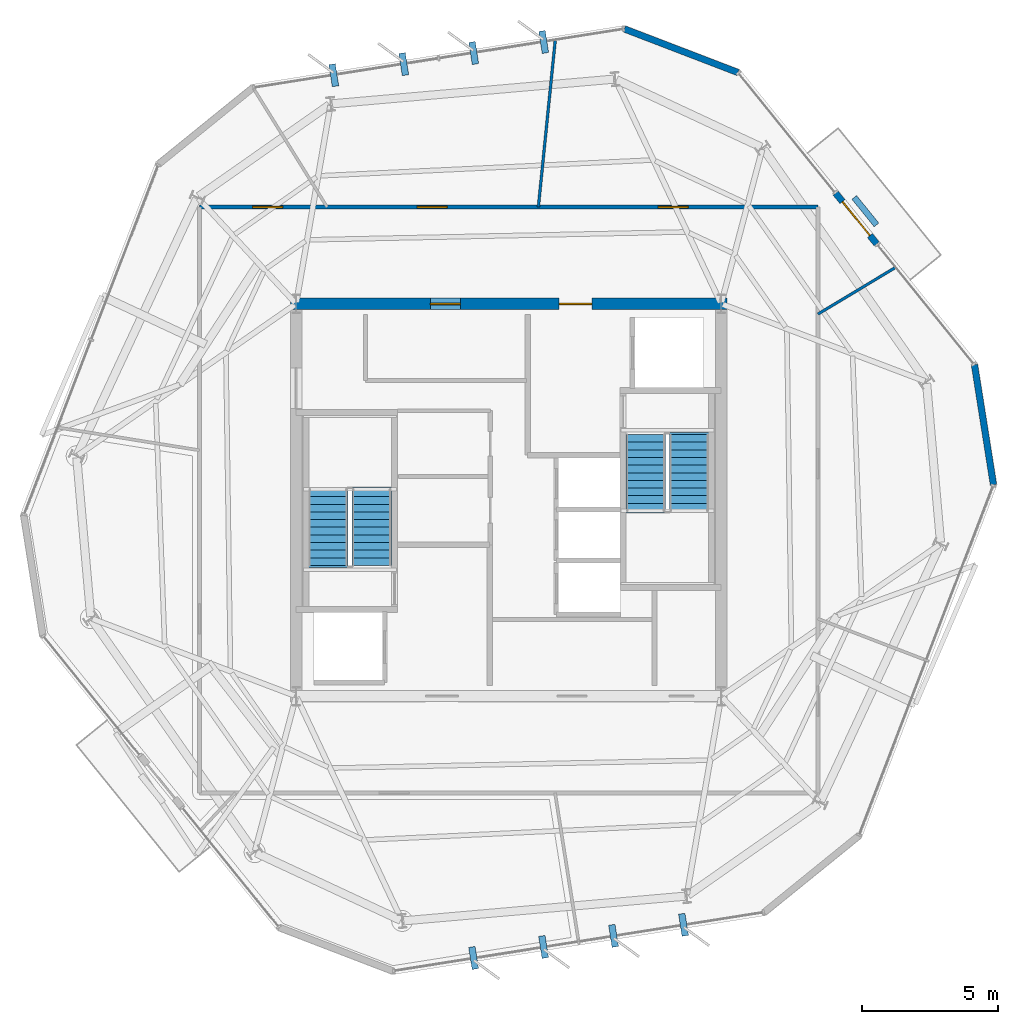
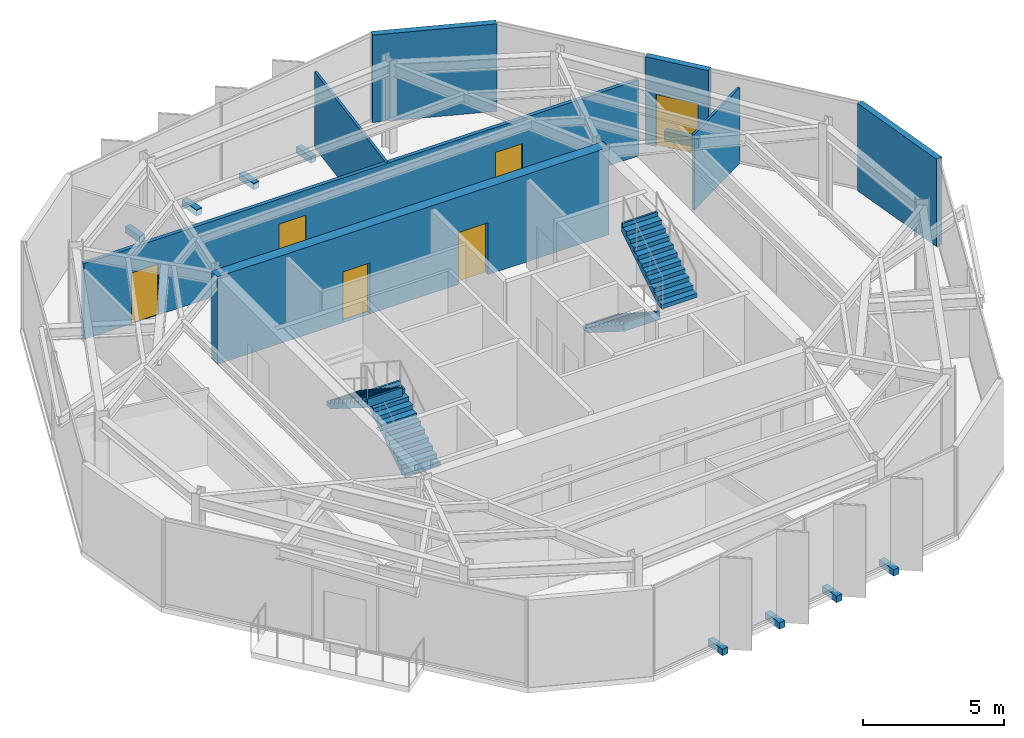
# One storey, part 8 of 10: 8 discrete accessories, 8 walls, 6 doors, 4 stair flights, 6 openings, 2 elements without a shape of their own.
"""IFC4 building model written with IfcOpenShell, lengths in metres."""

from ifc_helpers import new_model, si_unit, direction, frame, frame_2d, origin, origin_2d, place, context, subcontext, project, spatial, polyline, rectangle, outline, extrude, material, layer, layer_set, type_object, element, fill, aggregate, save


model = new_model("IFC4")

# Units and contexts
model_context = context("Model", 3, precision=1e-05, world=origin(), true_north=direction((0.0, 1.0)))
body_context = subcontext(model_context, "Body", "Model", "MODEL_VIEW")
ifc_project = project(units=[si_unit("LENGTHUNIT", "METRE"), si_unit("AREAUNIT", "SQUARE_METRE"), si_unit("VOLUMEUNIT", "CUBIC_METRE"), si_unit("PLANEANGLEUNIT", "RADIAN"), si_unit("MASSUNIT", "GRAM", prefix="KILO")], contexts=[model_context])

# Site, building, storey
site_placement = place(None, origin())
site = spatial("IfcSite", under=ifc_project, at=site_placement, CompositionType="ELEMENT")
building_placement = place(site_placement, origin())
building = spatial("IfcBuilding", under=site, at=building_placement, Name="Kranzbogen Civic Tower", CompositionType="ELEMENT")
storey_placement = place(building_placement, frame((0.0, 0.0, 302.199951171875)))
storey = spatial("IfcBuildingStorey", under=building, at=storey_placement, Name="L73", CompositionType="ELEMENT", Elevation=302.199951171875)

# Wall, openings, doors
ifc_material_1 = material(Name="Double-Stud Acoustic Gypsum Partition")
ifc_layer_1 = layer(ifc_material_1, 0.14990234375, Name="Double-Stud Acoustic Gypsum Partition")
ifc_layer_set_1 = layer_set([ifc_layer_1], Name="Double-Stud Acoustic Gypsum Partition")
wall_type_1 = type_object("IfcWallType", Name="Acoustic Corridor and Clinical Partition 150 mm", PredefinedType="PARTITIONING", material=ifc_layer_set_1)
wall_1_placement = place(storey_placement, frame((13.64990234375, 35.75, 0.0), z_axis=(0.0, 0.0, 1.0), x_axis=(1.0, 0.0, 0.0)))
wall_1 = element("IfcWall", 1, at=wall_1_placement, inside=storey, type_object=wall_type_1, Name="L73 corridor partition 01", PredefinedType="PARTITIONING", context=body_context, shape_type="SweptSolid", body=[
    extrude(rectangle(XDim=22.7001953125, YDim=0.14990234375, at=frame_2d((11.35009765625, 0.0))), origin(), (0.0, 0.0, 1.0), 3.280029296875),
])
opening_1_placement = place(wall_1_placement, frame((7.992919921875, 0.0, 0.0)))
opening_1 = element("IfcOpeningElement", 2, at=opening_1_placement, cuts=wall_1, Name="Opening D-COR60", PredefinedType="OPENING", context=body_context, shape_type="SweptSolid", body=[
    extrude(rectangle(XDim=1.10009765625, YDim=2.199951171875, at=frame_2d((0.550048828125, 1.10009765625))), frame((0.0, 0.0849609375, 0.0), z_axis=(0.0, -1.0, 0.0), x_axis=(1.0, 0.0, 0.0)), (0.0, 0.0, 1.0), 0.169921875),
])
opening_2_placement = place(wall_1_placement, frame((16.840087890625, 0.0, 0.0)))
opening_2 = element("IfcOpeningElement", 3, at=opening_2_placement, cuts=wall_1, Name="Opening D-COR60", PredefinedType="OPENING", context=body_context, shape_type="SweptSolid", body=[
    extrude(rectangle(XDim=1.10009765625, YDim=2.199951171875, at=frame_2d((0.550048828125, 1.10009765625))), frame((0.0, 0.0849609375, 0.0), z_axis=(0.0, -1.0, 0.0), x_axis=(1.0, 0.0, 0.0)), (0.0, 0.0, 1.0), 0.169921875),
])
opening_3_placement = place(wall_1_placement, frame((1.950927734375, 0.0, 0.0)))
opening_3 = element("IfcOpeningElement", 4, at=opening_3_placement, cuts=wall_1, Name="Opening D-COR60", PredefinedType="OPENING", context=body_context, shape_type="SweptSolid", body=[
    extrude(rectangle(XDim=1.10009765625, YDim=2.199951171875, at=frame_2d((0.550048828125, 1.10009765625))), frame((0.0, 0.0849609375, 0.0), z_axis=(0.0, -1.0, 0.0), x_axis=(1.0, 0.0, 0.0)), (0.0, 0.0, 1.0), 0.169921875),
])
ifc_material_2 = material(Name="Oak Timber and Fire Core", Category="wood")
door_type_1 = type_object("IfcDoorType", Name="Corridor Acoustic Fire Door 1100x2200", OperationType="NOTDEFINED", PredefinedType="DOOR", material=ifc_material_2)
door_1_placement = place(opening_1_placement, origin())
door_1 = element("IfcDoor", 5, at=door_1_placement, inside=storey, type_object=door_type_1, Name="L73 Municipal Exhibition Showroom door", OperationType="SINGLE_SWING_RIGHT", OverallHeight=2.199951171875, OverallWidth=1.10009765625, PredefinedType="DOOR", context=body_context, shape_type="SweptSolid", body=[
    extrude(rectangle(XDim=1.10009765625, YDim=2.199951171875, at=frame_2d((0.550048828125, 1.10009765625))), frame((0.0, 0.02490234375, 0.0), z_axis=(0.0, -1.0, 0.0), x_axis=(1.0, 0.0, 0.0)), (0.0, 0.0, 1.0), 0.050048828125),
])
fill(opening_1, door_1)
door_2_placement = place(opening_2_placement, origin())
door_2 = element("IfcDoor", 6, at=door_2_placement, inside=storey, type_object=door_type_1, Name="L73 Licensing Information Kiosk door", OperationType="SINGLE_SWING_LEFT", OverallHeight=2.199951171875, OverallWidth=1.10009765625, PredefinedType="DOOR", context=body_context, shape_type="SweptSolid", body=[
    extrude(rectangle(XDim=1.10009765625, YDim=2.199951171875, at=frame_2d((0.550048828125, 1.10009765625))), frame((0.0, 0.02490234375, 0.0), z_axis=(0.0, -1.0, 0.0), x_axis=(1.0, 0.0, 0.0)), (0.0, 0.0, 1.0), 0.050048828125),
])
fill(opening_2, door_2)
door_3_placement = place(opening_3_placement, origin())
door_3 = element("IfcDoor", 7, at=door_3_placement, inside=storey, type_object=door_type_1, Name="L73 Delegates Sitting Lounge door", OperationType="SINGLE_SWING_RIGHT", OverallHeight=2.199951171875, OverallWidth=1.10009765625, PredefinedType="DOOR", context=body_context, shape_type="SweptSolid", body=[
    extrude(rectangle(XDim=1.10009765625, YDim=2.199951171875, at=frame_2d((0.550048828125, 1.10009765625))), frame((0.0, 0.02490234375, 0.0), z_axis=(0.0, -1.0, 0.0), x_axis=(1.0, 0.0, 0.0)), (0.0, 0.0, 1.0), 0.050048828125),
])
fill(opening_3, door_3)

# Wall
ifc_material_3 = material(Name="Architectural Precast Terracotta Concrete C40/50", Category="masonry")
ifc_layer_2 = layer(ifc_material_3, 0.219970703125, Name="Architectural Precast Terracotta Concrete C40/50")
ifc_layer_set_2 = layer_set([ifc_layer_2], Name="Architectural Precast Terracotta Concrete C40/50")
wall_type_2 = type_object("IfcWallType", Name="Architectural Tree Planter Kerb Wall 220 mm", PredefinedType="USERDEFINED", material=ifc_layer_set_2)
wall_2_placement = place(storey_placement, frame((38.5009765625, 35.095947265625, 0.0), z_axis=(0.0, 0.0, 1.0), x_axis=(-0.629311706509, 0.777152993979, 0.0)))
element("IfcWall", 8, at=wall_2_placement, inside=storey, type_object=wall_type_2, Name="L73 landscaped tree balcony planter L73-TB1", ObjectType="PLANTER_WALL", PredefinedType="USERDEFINED", context=body_context, shape_type="SweptSolid", body=[
    extrude(rectangle(XDim=1.299560546875, YDim=0.219970703125, at=frame_2d((0.64990234375, 0.0))), origin(), (0.0, 0.0, 1.0), 0.400146484375),
])

# Wall, openings, doors
ifc_material_4 = material(Name="Concrete C45/55", Category="concrete")
ifc_layer_3 = layer(ifc_material_4, 0.419921875, Name="Concrete C45/55")
ifc_layer_set_3 = layer_set([ifc_layer_3], Name="Concrete C45/55")
wall_type_3 = type_object("IfcWallType", Name="Central Core Shear Wall 420 mm", PredefinedType="SHEAR", material=ifc_layer_set_3)
wall_3_placement = place(storey_placement, frame((33.010009765625, 32.199951171875, 0.0), z_axis=(0.0, 0.0, 1.0), x_axis=(-1.0, 0.0, 0.0)))
wall_3 = element("IfcWall", 9, at=wall_3_placement, inside=storey, type_object=wall_type_3, Name="L73 central core North shear wall", PredefinedType="SHEAR", context=body_context, shape_type="SweptSolid", body=[
    extrude(rectangle(XDim=16.02001953125, YDim=0.419921875, at=frame_2d((8.010009765625, 0.0))), origin(), (0.0, 0.0, 1.0), 3.780029296875),
])
opening_4_placement = place(wall_3_placement, frame((4.9599609375, 0.0, 0.0)))
opening_4 = element("IfcOpeningElement", 10, at=opening_4_placement, cuts=wall_3, Name="Opening D-EX120", PredefinedType="OPENING", context=body_context, shape_type="SweptSolid", body=[
    extrude(rectangle(XDim=1.199951171875, YDim=2.25, at=frame_2d((0.60009765625, 1.125))), frame((0.0, 0.219970703125, 0.0), z_axis=(0.0, -1.0, 0.0), x_axis=(1.0, 0.0, 0.0)), (0.0, 0.0, 1.0), 0.43994140625),
])
opening_5_placement = place(wall_3_placement, frame((9.784912109375, 0.0, 0.0)))
opening_5 = element("IfcOpeningElement", 11, at=opening_5_placement, cuts=wall_3, Name="Opening D-COR60", PredefinedType="OPENING", context=body_context, shape_type="SweptSolid", body=[
    extrude(rectangle(XDim=1.10009765625, YDim=2.199951171875, at=frame_2d((0.550048828125, 1.10009765625))), frame((0.0, 0.219970703125, 0.0), z_axis=(0.0, -1.0, 0.0), x_axis=(1.0, 0.0, 0.0)), (0.0, 0.0, 1.0), 0.43994140625),
])
door_4_placement = place(opening_5_placement, origin())
door_4 = element("IfcDoor", 12, at=door_4_placement, inside=storey, type_object=door_type_1, Name="L73 DAT1 comms room door", OperationType="SINGLE_SWING_LEFT", OverallHeight=2.199951171875, OverallWidth=1.10009765625, PredefinedType="DOOR", context=body_context, shape_type="SweptSolid", body=[
    extrude(rectangle(XDim=1.10009765625, YDim=2.199951171875, at=frame_2d((0.550048828125, 1.10009765625))), frame((0.0, 0.02490234375, 0.0), z_axis=(0.0, -1.0, 0.0), x_axis=(1.0, 0.0, 0.0)), (0.0, 0.0, 1.0), 0.050048828125),
])
fill(opening_5, door_4)
ifc_material_5 = material(Name="Steel S355", Category="steel")
door_type_2 = type_object("IfcDoorType", Name="Exit Passageway Fire Door 1200x2250", OperationType="NOTDEFINED", PredefinedType="DOOR", material=ifc_material_5)
door_5_placement = place(opening_4_placement, origin())
door_5 = element("IfcDoor", 13, at=door_5_placement, inside=storey, type_object=door_type_2, Name="L73 East firefighting lobby corridor door", OperationType="SINGLE_SWING_RIGHT", OverallHeight=2.25, OverallWidth=1.199951171875, PredefinedType="DOOR", context=body_context, shape_type="SweptSolid", body=[
    extrude(rectangle(XDim=1.199951171875, YDim=2.25, at=frame_2d((0.60009765625, 1.125))), frame((0.0, 0.02490234375, 0.0), z_axis=(0.0, -1.0, 0.0), x_axis=(1.0, 0.0, 0.0)), (0.0, 0.0, 1.0), 0.050048828125),
])
fill(opening_4, door_5)

# Walls
ifc_material_6 = material(Name="Demountable Aluminium and Gypsum Partition", Category="aluminium")
ifc_layer_4 = layer(ifc_material_6, 0.10009765625, Name="Demountable Aluminium and Gypsum Partition")
ifc_layer_set_4 = layer_set([ifc_layer_4], Name="Demountable Aluminium and Gypsum Partition")
wall_type_4 = type_object("IfcWallType", Name="Demountable Office Partition 100 mm", PredefinedType="MOVABLE", material=ifc_layer_set_4)
wall_4_placement = place(storey_placement, frame((36.35009765625, 31.822021484375, 0.0), z_axis=(0.0, 0.0, 1.0), x_axis=(0.857024658814, 0.515275396448, 0.0)))
element("IfcWall", 14, at=wall_4_placement, inside=storey, type_object=wall_type_4, Name="L73 radial room partition 06", PredefinedType="MOVABLE", context=body_context, shape_type="SweptSolid", body=[
    extrude(rectangle(XDim=3.314697265625, YDim=0.10009765625, at=frame_2d((1.6572265625, 0.0))), origin(), (0.0, 0.0, 1.0), 3.280029296875),
])
wall_5_placement = place(storey_placement, frame((26.090087890625, 35.75, 0.0), z_axis=(0.0, 0.0, 1.0), x_axis=(0.100753039723, 0.994911465904, 0.0)))
element("IfcWall", 15, at=wall_5_placement, inside=storey, type_object=wall_type_4, Name="L73 radial room partition 07", PredefinedType="MOVABLE", context=body_context, shape_type="SweptSolid", body=[
    extrude(rectangle(XDim=6.15234375, YDim=0.10009765625, at=frame_2d((3.076171875, 0.0))), origin(), (0.0, 0.0, 1.0), 3.280029296875),
])
ifc_material_7 = material(Name="Pale Anodised Aluminium", Category="aluminium")
ifc_layer_5 = layer(ifc_material_7, 0.239990234375, Name="Pale Anodised Aluminium")
ifc_layer_set_5 = layer_set([ifc_layer_5], Name="Pale Anodised Aluminium")
wall_type_5 = type_object("IfcWallType", Name="Insulated Aluminium Facade Portal Wall 240 mm", PredefinedType="STANDARD", material=ifc_layer_set_5)
wall_6_placement = place(storey_placement, frame((42.7939453125, 25.55810546875, 0.0), z_axis=(0.0, 0.0, 1.0), x_axis=(-0.156333211552, 0.987704372252, 0.0)))
element("IfcWall", 16, at=wall_6_placement, inside=storey, type_object=wall_type_5, Name="L73 chamfered corner facade spandrel 5", PredefinedType="STANDARD", context=body_context, shape_type="SweptSolid", body=[
    extrude(rectangle(XDim=4.46484375, YDim=0.239990234375, at=frame_2d((2.232421875, 0.0))), origin(), (0.0, 0.0, 1.0), 3.780029296875),
])

# Wall, opening, door
wall_7_placement = place(storey_placement, frame((38.510009765625, 34.39599609375, 0.0), z_axis=(0.0, 0.0, 1.0), x_axis=(-0.629063630367, 0.777353811948, 0.0)))
wall_7 = element("IfcWall", 17, at=wall_7_placement, inside=storey, type_object=wall_type_5, Name="L73 exterior entrance portal wall 1", PredefinedType="STANDARD", context=body_context, shape_type="SweptSolid", body=[
    extrude(rectangle(XDim=2.400390625, YDim=0.239990234375, at=frame_2d((1.2001953125, 0.0))), origin(), (0.0, 0.0, 1.0), 3.780029296875),
])
opening_6_placement = place(wall_7_placement, frame((0.39990234375, 0.0, 0.0)))
opening_6 = element("IfcOpeningElement", 18, at=opening_6_placement, cuts=wall_7, Name="Opening D-TER", PredefinedType="OPENING", context=body_context, shape_type="SweptSolid", body=[
    extrude(rectangle(XDim=1.60009765625, YDim=2.25, at=frame_2d((0.800048828125, 1.125))), frame((0.0, 0.1298828125, 0.0), z_axis=(0.0, -1.0, 0.0), x_axis=(1.0, 0.0, 0.0)), (0.0, 0.0, 1.0), 0.260009765625),
])
ifc_material_8 = material(Name="Anodised Bronze and Triple Glass", Category="glass")
door_type_3 = type_object("IfcDoorType", Name="Glazed Terrace and Balcony Double Door 1600x2250", OperationType="DOUBLE_DOOR_SINGLE_SWING", PredefinedType="DOOR", material=ifc_material_8)
door_6_placement = place(opening_6_placement, frame((1.60009765625, 0.0, 0.0), z_axis=(0.0, 0.0, 1.0), x_axis=(-1.0, 0.0, 0.0)))
door_6 = element("IfcDoor", 19, at=door_6_placement, inside=storey, type_object=door_type_3, Name="L73 tree balcony access door L73-TB1", OperationType="DOUBLE_DOOR_SINGLE_SWING", OverallHeight=2.25, OverallWidth=1.60009765625, PredefinedType="DOOR", context=body_context, shape_type="SweptSolid", body=[
    extrude(rectangle(XDim=1.60009765625, YDim=2.25, at=frame_2d((0.800048828125, 1.125))), frame((0.0, 0.02490234375, 0.0), z_axis=(0.0, -1.0, 0.0), x_axis=(1.0, 0.0, 0.0)), (0.0, 0.0, 1.0), 0.050048828125),
])
fill(opening_6, door_6)

# Wall
wall_8_placement = place(storey_placement, frame((33.4140625, 40.68994140625, 0.0), z_axis=(0.0, 0.0, 1.0), x_axis=(-0.933641283133, 0.358209372336, 0.0)))
element("IfcWall", 20, at=wall_8_placement, inside=storey, type_object=wall_type_5, Name="L73 chamfered corner facade spandrel 6", PredefinedType="STANDARD", context=body_context, shape_type="SweptSolid", body=[
    extrude(rectangle(XDim=4.464111328125, YDim=0.239990234375, at=frame_2d((2.23193359375, 0.0))), origin(), (0.0, 0.0, 1.0), 3.780029296875),
])

# Stair, stair flights
ifc_material_9 = material(Name="Precast concrete C40/50", Category="concrete")
stair_type_1 = type_object("IfcStairType", Name="Tower Core Pressurized Dogleg Stair 1450", PredefinedType="HALF_TURN_STAIR", material=ifc_material_9)
stair_1_placement = place(storey_placement, origin())
stair_1 = element("IfcStair", 21, at=stair_1_placement, inside=storey, type_object=stair_type_1, Name="L73 Tower Core Pressurized Stair 1", PredefinedType="HALF_TURN_STAIR")
stair_flight_type = type_object("IfcStairFlightType", Name="Precast Concrete Stair Flight R180", PredefinedType="STRAIGHT", material=ifc_material_9)
stair_flight_1_placement = place(storey_placement, frame((19.97509765625, 22.60009765625, 0.0), z_axis=(0.0, 0.0, 1.0), x_axis=(0.0, 1.0, 0.0)))
stair_flight_1 = element("IfcStairFlight", 22, at=stair_flight_1_placement, type_object=stair_flight_type, Name="ST-T1 flight 1", NumberOfRisers=11, NumberOfTreads=10, PredefinedType="STRAIGHT", RiserHeight=0.181818182, TreadLength=0.28, context=body_context, shape_type="SweptSolid", body=[
    extrude(outline(polyline([(0.0, 0.0), (0.0, 0.181884765625), (0.280029296875, 0.181884765625), (0.280029296875, 0.363525390625), (0.56005859375, 0.363525390625), (0.56005859375, 0.54541015625), (0.840087890625, 0.54541015625), (0.840087890625, 0.727294921875), (1.1201171875, 0.727294921875), (1.1201171875, 0.9091796875), (1.39990234375, 0.9091796875), (1.39990234375, 1.0908203125), (1.679931640625, 1.0908203125), (1.679931640625, 1.272705078125), (1.9599609375, 1.272705078125), (1.9599609375, 1.45458984375), (2.239990234375, 1.45458984375), (2.239990234375, 1.636474609375), (2.52001953125, 1.636474609375), (2.52001953125, 1.818115234375), (2.800048828125, 1.818115234375), (2.800048828125, 2.0), (2.880126953125, 2.0), (2.880126953125, 1.639404296875), (0.275146484375, 0.0), (0.0, 0.0)])), frame((0.0, 0.72509765625, 0.0), z_axis=(0.0, -1.0, 0.0), x_axis=(1.0, 0.0, 0.0)), (0.0, 0.0, 1.0), 1.449951171875),
])
stair_flight_2_placement = place(storey_placement, frame((18.375, 25.39990234375, 2.0), z_axis=(0.0, 0.0, 1.0), x_axis=(0.0, -1.0, 0.0)))
stair_flight_2 = element("IfcStairFlight", 23, at=stair_flight_2_placement, type_object=stair_flight_type, Name="ST-T1 flight 2", NumberOfRisers=11, NumberOfTreads=10, PredefinedType="STRAIGHT", RiserHeight=0.181818182, TreadLength=0.28, context=body_context, shape_type="SweptSolid", body=[
    extrude(outline(polyline([(0.0, 0.0), (0.0, 0.181884765625), (0.280029296875, 0.181884765625), (0.280029296875, 0.363525390625), (0.56005859375, 0.363525390625), (0.56005859375, 0.54541015625), (0.840087890625, 0.54541015625), (0.840087890625, 0.727294921875), (1.1201171875, 0.727294921875), (1.1201171875, 0.9091796875), (1.39990234375, 0.9091796875), (1.39990234375, 1.0908203125), (1.679931640625, 1.0908203125), (1.679931640625, 1.272705078125), (1.9599609375, 1.272705078125), (1.9599609375, 1.45458984375), (2.239990234375, 1.45458984375), (2.239990234375, 1.636474609375), (2.52001953125, 1.636474609375), (2.52001953125, 1.818115234375), (2.800048828125, 1.818115234375), (2.800048828125, 2.0), (2.880126953125, 2.0), (2.880126953125, 1.639404296875), (0.275146484375, 0.0), (0.0, 0.0)])), frame((0.0, 0.72509765625, 0.0), z_axis=(0.0, -1.0, 0.0), x_axis=(1.0, 0.0, 0.0)), (0.0, 0.0, 1.0), 1.449951171875),
])
aggregate(stair_1, [stair_flight_1, stair_flight_2])

stair_type_2 = type_object("IfcStairType", Name="Tower Core Secondary Dogleg Stair 1450", PredefinedType="HALF_TURN_STAIR", material=ifc_material_9)
stair_2_placement = place(storey_placement, origin())
stair_2 = element("IfcStair", 24, at=stair_2_placement, inside=storey, type_object=stair_type_2, Name="L73 Tower Core Pressurized Stair 2", PredefinedType="HALF_TURN_STAIR")
stair_flight_3_placement = place(storey_placement, frame((30.02490234375, 27.39990234375, 0.0), z_axis=(0.0, 0.0, 1.0), x_axis=(0.0, -1.0, 0.0)))
stair_flight_3 = element("IfcStairFlight", 25, at=stair_flight_3_placement, type_object=stair_flight_type, Name="ST-T2 flight 1", NumberOfRisers=11, NumberOfTreads=10, PredefinedType="STRAIGHT", RiserHeight=0.181818182, TreadLength=0.28, context=body_context, shape_type="SweptSolid", body=[
    extrude(outline(polyline([(0.0, 0.0), (0.0, 0.181884765625), (0.280029296875, 0.181884765625), (0.280029296875, 0.363525390625), (0.56005859375, 0.363525390625), (0.56005859375, 0.54541015625), (0.840087890625, 0.54541015625), (0.840087890625, 0.727294921875), (1.1201171875, 0.727294921875), (1.1201171875, 0.9091796875), (1.39990234375, 0.9091796875), (1.39990234375, 1.0908203125), (1.679931640625, 1.0908203125), (1.679931640625, 1.272705078125), (1.9599609375, 1.272705078125), (1.9599609375, 1.45458984375), (2.239990234375, 1.45458984375), (2.239990234375, 1.636474609375), (2.52001953125, 1.636474609375), (2.52001953125, 1.818115234375), (2.800048828125, 1.818115234375), (2.800048828125, 2.0), (2.880126953125, 2.0), (2.880126953125, 1.639404296875), (0.275146484375, 0.0), (0.0, 0.0)])), frame((0.0, 0.72509765625, 0.0), z_axis=(0.0, -1.0, 0.0), x_axis=(1.0, 0.0, 0.0)), (0.0, 0.0, 1.0), 1.449951171875),
])
stair_flight_4_placement = place(storey_placement, frame((31.625, 24.60009765625, 2.0), z_axis=(0.0, 0.0, 1.0), x_axis=(0.0, 1.0, 0.0)))
stair_flight_4 = element("IfcStairFlight", 26, at=stair_flight_4_placement, type_object=stair_flight_type, Name="ST-T2 flight 2", NumberOfRisers=11, NumberOfTreads=10, PredefinedType="STRAIGHT", RiserHeight=0.181818182, TreadLength=0.28, context=body_context, shape_type="SweptSolid", body=[
    extrude(outline(polyline([(0.0, 0.0), (0.0, 0.181884765625), (0.280029296875, 0.181884765625), (0.280029296875, 0.363525390625), (0.56005859375, 0.363525390625), (0.56005859375, 0.54541015625), (0.840087890625, 0.54541015625), (0.840087890625, 0.727294921875), (1.1201171875, 0.727294921875), (1.1201171875, 0.9091796875), (1.39990234375, 0.9091796875), (1.39990234375, 1.0908203125), (1.679931640625, 1.0908203125), (1.679931640625, 1.272705078125), (1.9599609375, 1.272705078125), (1.9599609375, 1.45458984375), (2.239990234375, 1.45458984375), (2.239990234375, 1.636474609375), (2.52001953125, 1.636474609375), (2.52001953125, 1.818115234375), (2.800048828125, 1.818115234375), (2.800048828125, 2.0), (2.880126953125, 2.0), (2.880126953125, 1.639404296875), (0.275146484375, 0.0), (0.0, 0.0)])), frame((0.0, 0.72509765625, 0.0), z_axis=(0.0, -1.0, 0.0), x_axis=(1.0, 0.0, 0.0)), (0.0, 0.0, 1.0), 1.449951171875),
])
aggregate(stair_2, [stair_flight_3, stair_flight_4])

# Discrete accessories
discrete_accessory_type = type_object("IfcDiscreteAccessoryType", Name="Structural Curtain-Wall Fin Support Bracket", PredefinedType="BRACKET", material=ifc_material_5)
for number, where, z_axis, x_axis, name in (
    (27, (26.285888671875, 41.80908203125, -0.25), (0.0, 0.0, 1.0), (-0.15643446504, 0.987688340595, 0.0), "L73 facade fin support bracket F1-1"),
    (28, (23.718017578125, 41.403076171875, -0.25), (0.0, 0.0, 1.0), (-0.15643446504, 0.987688340595, 0.0), "L73 facade fin support bracket F1-2"),
    (29, (21.14990234375, 40.99609375, -0.25), (0.0, 0.0, 1.0), (-0.15643446504, 0.987688340595, 0.0), "L73 facade fin support bracket F1-3"),
    (30, (18.58203125, 40.589111328125, -0.25), (0.0, 0.0, 1.0), (-0.15643446504, 0.987688340595, 0.0), "L73 facade fin support bracket F1-4"),
    (31, (23.714111328125, 8.19091796875, -0.25), (0.0, 0.0, 1.0), (0.15643446504, -0.987688340595, 0.0), "L73 facade fin support bracket F4-1"),
    (32, (26.281982421875, 8.596923828125, -0.25), (0.0, 0.0, 1.0), (0.15643446504, -0.987688340595, 0.0), "L73 facade fin support bracket F4-2"),
    (33, (28.85009765625, 9.00390625, -0.25), (0.0, 0.0, 1.0), (0.15643446504, -0.987688340595, 0.0), "L73 facade fin support bracket F4-3"),
    (34, (31.41796875, 9.410888671875, -0.25), (0.0, 0.0, 1.0), (0.15643446504, -0.987688340595, 0.0), "L73 facade fin support bracket F4-4"),
):
    element("IfcDiscreteAccessory", number, at=place(storey_placement, frame(where, z_axis=z_axis, x_axis=x_axis)), inside=storey, type_object=discrete_accessory_type, Name=name, PredefinedType="BRACKET", context=body_context, shape_type="SweptSolid", body=[
        extrude(rectangle(XDim=0.820068359375, YDim=0.239990234375, at=origin_2d()), origin(), (0.0, 0.0, 1.0), 0.280029296875),
    ])

save(model, "model.ifc")
